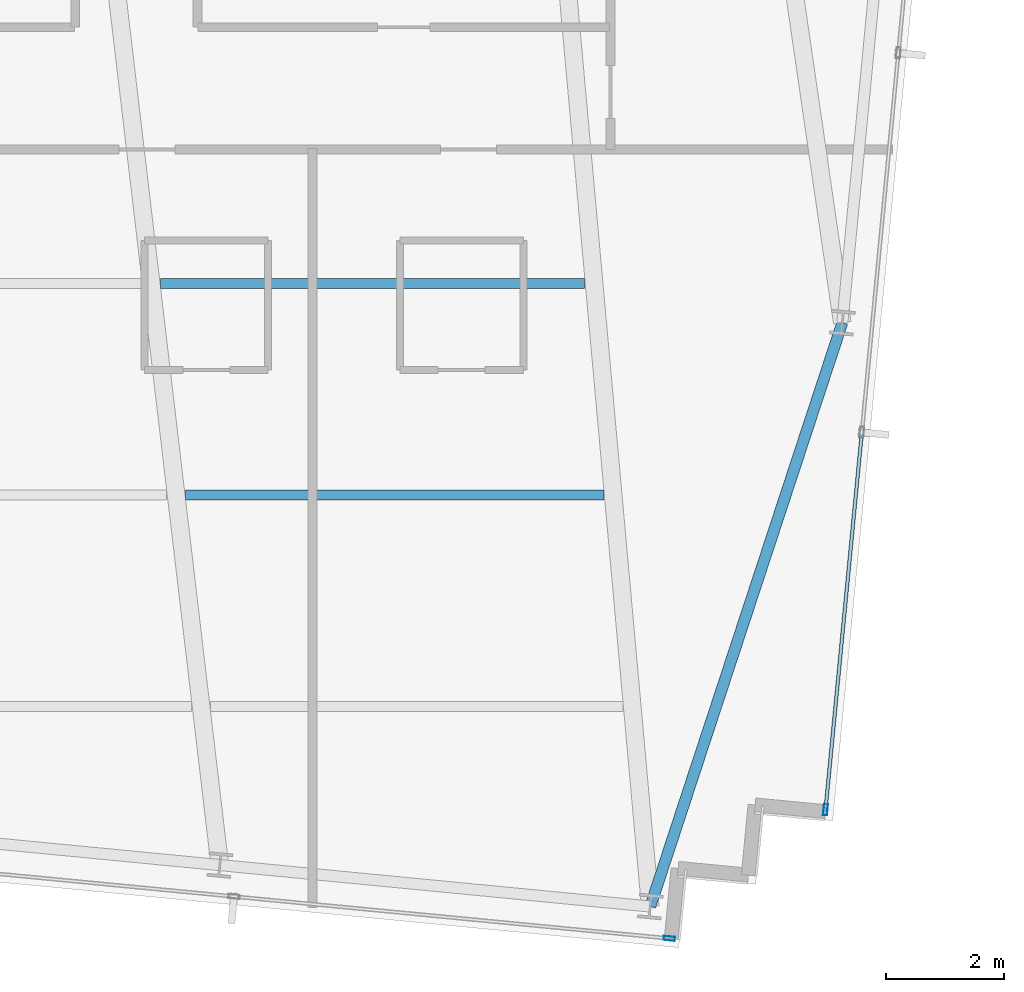
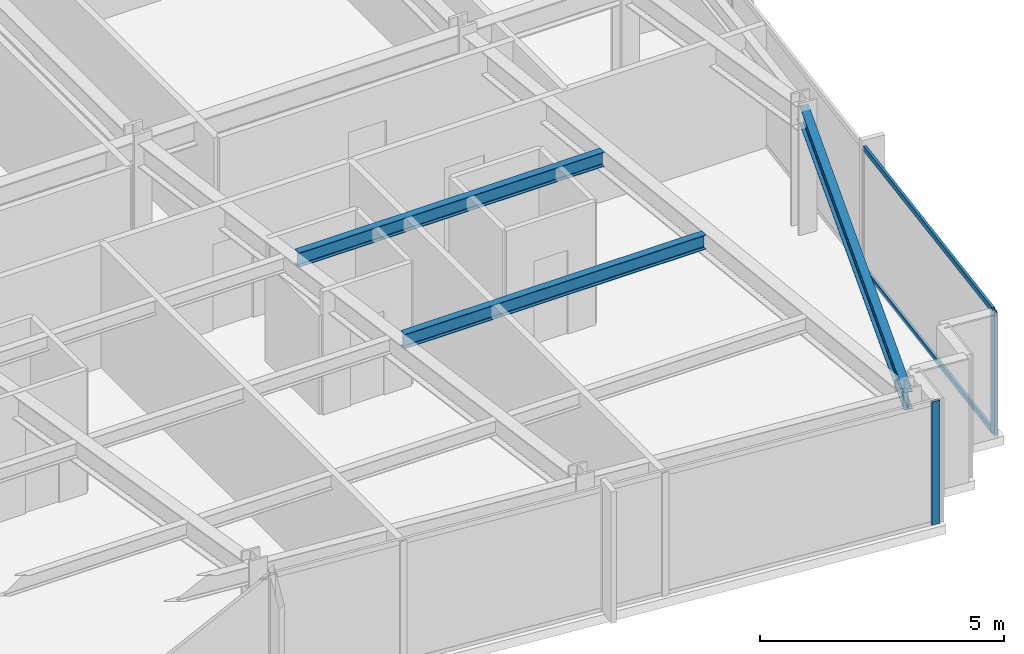
# One storey, part 14 of 37: 4 members, 3 beams, 2 elements without a shape of their own.
"""IFC4 building model written with IfcOpenShell, lengths in metres."""

from ifc_helpers import new_model, si_unit, direction, frame, origin, origin_2d, place, context, subcontext, project, spatial, hollow_rectangle, i_section, extrude, material, material_profile, profile_set, type_object, element, aggregate, save


model = new_model("IFC4")

# Units and contexts
model_context = context("Model", 3, precision=1e-05, world=origin(), true_north=direction((0.0, 1.0)))
body_context = subcontext(model_context, "Body", "Model", "MODEL_VIEW")
ifc_project = project(units=[si_unit("LENGTHUNIT", "METRE"), si_unit("AREAUNIT", "SQUARE_METRE"), si_unit("VOLUMEUNIT", "CUBIC_METRE"), si_unit("PLANEANGLEUNIT", "RADIAN"), si_unit("MASSUNIT", "GRAM", prefix="KILO")], contexts=[model_context])

# Site, building, storey
site_placement = place(None, origin())
site = spatial("IfcSite", under=ifc_project, at=site_placement, CompositionType="ELEMENT")
building_placement = place(site_placement, origin())
building = spatial("IfcBuilding", under=site, at=building_placement, Name="Yelkora Congress Tower", CompositionType="ELEMENT")
storey_placement = place(building_placement, frame((0.0, 0.0, 165.5)))
storey = spatial("IfcBuildingStorey", under=building, at=storey_placement, Name="L45", CompositionType="ELEMENT", Elevation=165.5)

# Beams
ifc_material_1 = material(Name="Steel S355J2", Category="steel")
ifc_material_profile_1 = material_profile(ifc_material_1, i_section(OverallWidth=0.169921875, OverallDepth=0.360107421875, WebThickness=0.008056640625, FlangeThickness=0.0126953125, FilletRadius=0.01806640625, at=origin_2d()), Name="IPE 360")
ifc_profile_set_1 = profile_set([ifc_material_profile_1], Name="Steel S355J2")
beam_type_1 = type_object("IfcBeamType", Name="BM-JOIST-IPE360", PredefinedType="JOIST", material=ifc_profile_set_1)
beam_1_placement = place(storey_placement, frame((47.27587890625, 16.421142578125, 2.89990234375), z_axis=(1.0, 0.0, 0.0), x_axis=(0.0, 1.0, 0.0)))
element("IfcBeam", 1, at=beam_1_placement, inside=storey, type_object=beam_type_1, Name="L45 Composite Floor Joist 11", PredefinedType="JOIST", context=body_context, shape_type="SweptSolid", body=[
    extrude(i_section(OverallWidth=0.169921875, OverallDepth=0.360107421875, WebThickness=0.008056640625, FlangeThickness=0.0126953125, FilletRadius=0.01806640625, at=origin_2d()), origin(), (0.0, 0.0, 1.0), 7.115234375),
])
beam_2_placement = place(storey_placement, frame((46.851318359375, 20.021240234375, 2.89990234375), z_axis=(1.0, 0.0, 0.0), x_axis=(0.0, 1.0, 0.0)))
element("IfcBeam", 2, at=beam_2_placement, inside=storey, type_object=beam_type_1, Name="L45 Composite Floor Joist 18", PredefinedType="JOIST", context=body_context, shape_type="SweptSolid", body=[
    extrude(i_section(OverallWidth=0.169921875, OverallDepth=0.360107421875, WebThickness=0.008056640625, FlangeThickness=0.0126953125, FilletRadius=0.01806640625, at=origin_2d()), origin(), (0.0, 0.0, 1.0), 7.215576171875),
])
ifc_material_profile_2 = material_profile(ifc_material_1, i_section(OverallWidth=0.18994140625, OverallDepth=0.449951171875, WebThickness=0.009521484375, FlangeThickness=0.0146484375, FilletRadius=0.02099609375, at=origin_2d()), Name="IPE 450")
ifc_profile_set_2 = profile_set([ifc_material_profile_2], Name="Steel S355J2")
beam_type_2 = type_object("IfcBeamType", Name="BM-SPAN-IPE450", PredefinedType="SPANDREL", material=ifc_profile_set_2)
beam_3_placement = place(storey_placement, frame((55.18212890625, 9.421142578125, 2.85498046875), z_axis=(0.312456737339, 0.949931990877, 0.0), x_axis=(-0.949931990877, 0.312456737339, 0.0)))
element("IfcBeam", 3, at=beam_3_placement, inside=storey, type_object=beam_type_2, Name="L45 Perimeter Beam 9", PredefinedType="SPANDREL", context=body_context, shape_type="SweptSolid", body=[
    extrude(i_section(OverallWidth=0.18994140625, OverallDepth=0.449951171875, WebThickness=0.009521484375, FlangeThickness=0.0146484375, FilletRadius=0.02099609375, at=origin_2d()), origin(), (0.0, 0.0, 1.0), 10.4560546875),
])

# Curtain wall, member
ifc_material_2 = material(Name="Anodised aluminium and insulated glass", Category="aluminium")
curtain_wall_type = type_object("IfcCurtainWallType", Name="CW-SYS-B3", PredefinedType="NOTDEFINED", material=ifc_material_2)
curtain_wall_1_placement = place(storey_placement, origin())
curtain_wall_1 = element("IfcCurtainWall", 4, at=curtain_wall_1_placement, inside=storey, type_object=curtain_wall_type, Name="L45 Unitised Curtain Wall 15", PredefinedType="NOTDEFINED")
ifc_material_3 = material(Name="Anodised aluminium 6063-T6", Category="aluminium")
ifc_material_profile_3 = material_profile(ifc_material_3, hollow_rectangle(XDim=0.070068359375, YDim=0.18994140625, WallThickness=0.00390625, at=origin_2d()), Name="ALU 70x190x4")
ifc_profile_set_3 = profile_set([ifc_material_profile_3], Name="Anodised aluminium 6063-T6")
member_type_1 = type_object("IfcMemberType", Name="MEM-ML-B3", PredefinedType="MULLION", material=ifc_profile_set_3)
member_1_placement = place(storey_placement, frame((58.163818359375, 11.068115234375, 0.0), z_axis=(0.0, 0.0, 1.0), x_axis=(0.995396565076, -0.095841944023, 0.0)))
member_1 = element("IfcMember", 5, at=member_1_placement, type_object=member_type_1, Name="CW-B3 mullion 6", PredefinedType="MULLION", context=body_context, shape_type="SweptSolid", body=[
    extrude(hollow_rectangle(XDim=0.070068359375, YDim=0.18994140625, WallThickness=0.00390625, at=origin_2d()), origin(), (0.0, 0.0, 1.0), 3.080078125),
])

curtain_wall_2_placement = place(storey_placement, origin())
curtain_wall_2 = element("IfcCurtainWall", 6, at=curtain_wall_2_placement, inside=storey, type_object=curtain_wall_type, Name="L45 Unitised Curtain Wall 20", PredefinedType="NOTDEFINED")
member_2_placement = place(storey_placement, frame((55.506591796875, 8.877685546875, 0.0), z_axis=(0.0, 0.0, 1.0), x_axis=(-0.095844680679, -0.995396301573, 0.0)))
member_2 = element("IfcMember", 7, at=member_2_placement, type_object=member_type_1, Name="CW-B3 mullion 1", PredefinedType="MULLION", context=body_context, shape_type="SweptSolid", body=[
    extrude(hollow_rectangle(XDim=0.070068359375, YDim=0.18994140625, WallThickness=0.00390625, at=origin_2d()), origin(), (0.0, 0.0, 1.0), 3.080078125),
])
aggregate(curtain_wall_2, [member_2])

# Member
ifc_material_profile_4 = material_profile(ifc_material_3, hollow_rectangle(XDim=0.06005859375, YDim=0.1298828125, WallThickness=0.00390625, at=origin_2d()), Name="ALU 60x130x4")
ifc_profile_set_4 = profile_set([ifc_material_profile_4], Name="Anodised aluminium 6063-T6")
member_type_2 = type_object("IfcMemberType", Name="MEM-TR-B3", PredefinedType="USERDEFINED", material=ifc_profile_set_4)
member_3_placement = place(storey_placement, frame((58.778564453125, 17.45263671875, 0.030029296875), z_axis=(-0.095869192297, -0.995393941095, 0.0), x_axis=(0.995393941095, -0.095869192297, 0.0)))
member_3 = element("IfcMember", 8, at=member_3_placement, type_object=member_type_2, Name="CW-B3 transom 5.1", ObjectType="TRANSOM", PredefinedType="USERDEFINED", context=body_context, shape_type="SweptSolid", body=[
    extrude(hollow_rectangle(XDim=0.06005859375, YDim=0.1298828125, WallThickness=0.00390625, at=origin_2d()), origin(), (0.0, 0.0, 1.0), 6.379150390625),
])

member_4_placement = place(storey_placement, frame((58.778564453125, 17.45263671875, 3.050048828125), z_axis=(-0.095869192297, -0.995393941095, 0.0), x_axis=(0.995393941095, -0.095869192297, 0.0)))
member_4 = element("IfcMember", 9, at=member_4_placement, type_object=member_type_2, Name="CW-B3 transom 5.2", ObjectType="TRANSOM", PredefinedType="USERDEFINED", context=body_context, shape_type="SweptSolid", body=[
    extrude(hollow_rectangle(XDim=0.06005859375, YDim=0.1298828125, WallThickness=0.00390625, at=origin_2d()), origin(), (0.0, 0.0, 1.0), 6.379150390625),
])

aggregate(curtain_wall_1, [member_1, member_3, member_4])

save(model, "model.ifc")
